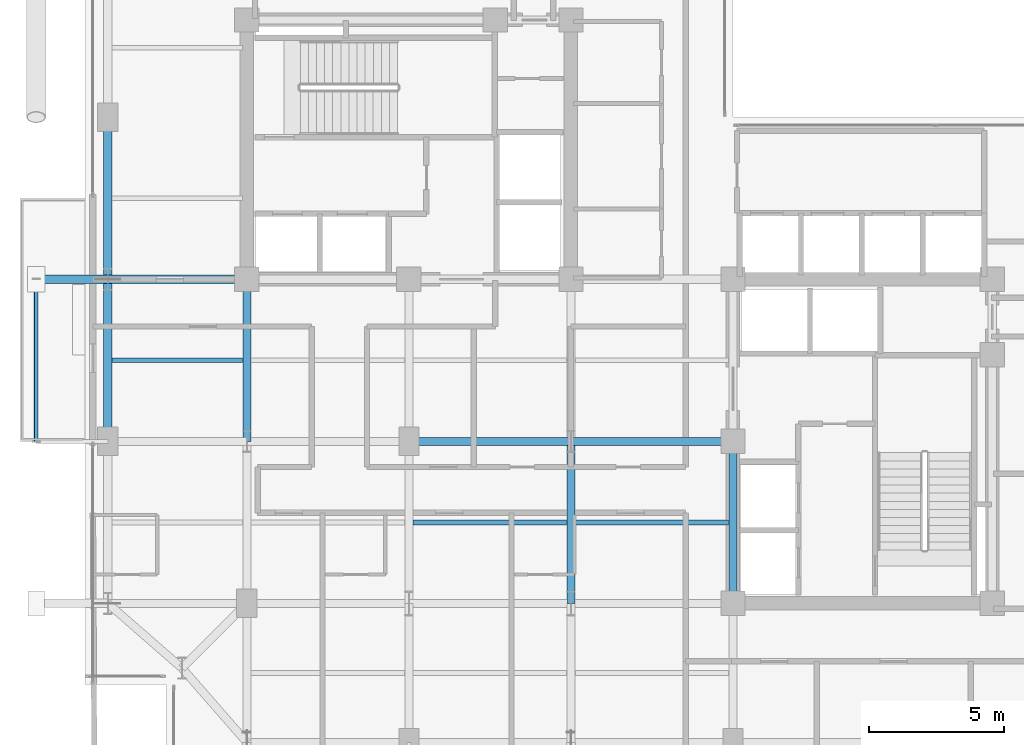
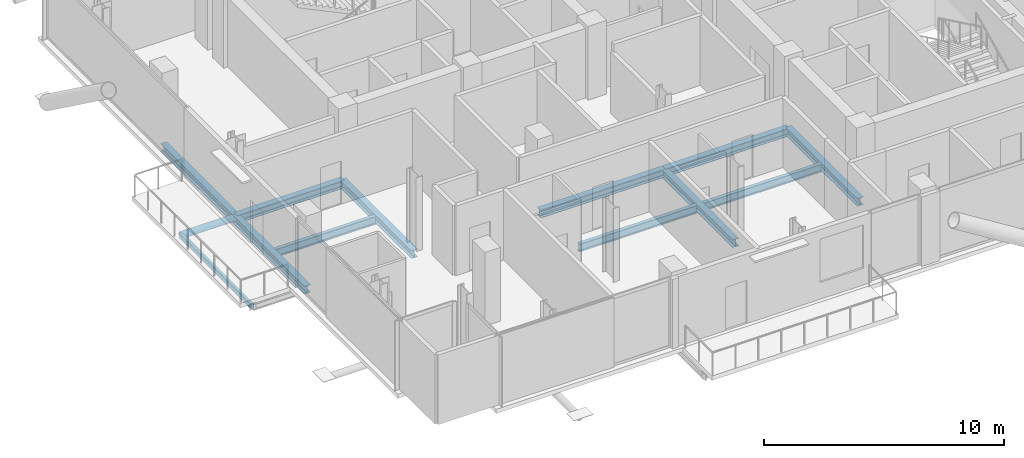
# One storey, part 6 of 22: 12 beams, 1 member.
"""IFC4 building model written with IfcOpenShell, lengths in metres."""

from ifc_helpers import new_model, si_unit, direction, frame, origin, origin_2d, place, context, subcontext, project, spatial, hollow_rectangle, hollow_circle, i_section, extrude, material, material_profile, profile_set, type_object, element, save


model = new_model("IFC4")

# Units and contexts
model_context = context("Model", 3, precision=1e-05, world=origin(), true_north=direction((0.0, 1.0)))
body_context = subcontext(model_context, "Body", "Model", "MODEL_VIEW")
ifc_project = project(units=[si_unit("LENGTHUNIT", "METRE"), si_unit("AREAUNIT", "SQUARE_METRE"), si_unit("VOLUMEUNIT", "CUBIC_METRE"), si_unit("PLANEANGLEUNIT", "RADIAN"), si_unit("MASSUNIT", "GRAM", prefix="KILO"), si_unit("THERMODYNAMICTEMPERATUREUNIT", "KELVIN"), si_unit("POWERUNIT", "WATT")], contexts=[model_context])

# Site, building, storey
site_placement = place(None, origin())
site = spatial("IfcSite", under=ifc_project, at=site_placement, CompositionType="ELEMENT")
building_placement = place(site_placement, origin())
building = spatial("IfcBuilding", under=site, at=building_placement, Name="Svarakhadi Broadcast Tower", CompositionType="ELEMENT")
storey_placement = place(building_placement, frame((0.0, 0.0, 172.949951171875)))
storey = spatial("IfcBuildingStorey", under=building, at=storey_placement, Name="L42", CompositionType="ELEMENT", Elevation=172.949951171875)

# Beams
ifc_material_1 = material(Name="Steel S355J2 (IS 2062 E350C)", Category="steel")
ifc_material_profile_1 = material_profile(ifc_material_1, i_section(OverallWidth=0.179931640625, OverallDepth=0.39990234375, WebThickness=0.008544921875, FlangeThickness=0.013427734375, FilletRadius=0.02099609375, at=origin_2d()), Name="NPB 400x180x66")
ifc_profile_set_1 = profile_set([ifc_material_profile_1], Name="Steel S355J2 (IS 2062 E350C)")
beam_type_1 = type_object("IfcBeamType", Name="Beam_NPB400", PredefinedType="BEAM", material=ifc_profile_set_1)
beam_1_placement = place(storey_placement, frame((1.010009765625, 15.0, -0.409912109375), z_axis=(1.0, 0.0, 0.0), x_axis=(0.0, 1.0, 0.0)))
element("IfcBeam", 1, at=beam_1_placement, inside=storey, type_object=beam_type_1, Name="L42 Secondary Composite Beam SB002", PredefinedType="BEAM", context=body_context, shape_type="SweptSolid", body=[
    extrude(i_section(OverallWidth=0.179931640625, OverallDepth=0.39990234375, WebThickness=0.008544921875, FlangeThickness=0.013427734375, FilletRadius=0.02099609375, at=origin_2d()), origin(), (0.0, 0.0, 1.0), 4.830078125),
])
for number, where, z_axis, x_axis, name in (
    (2, (12.159912109375, 9.0, -0.409912109375), (1.0, 0.0, 0.0), (0.0, 1.0, 0.0), "L42 Secondary Composite Beam SB010"),
    (3, (18.159912109375, 9.0, -0.409912109375), (1.0, 0.0, 0.0), (0.0, 1.0, 0.0), "L42 Secondary Composite Beam SB014"),
):
    element("IfcBeam", number, at=place(storey_placement, frame(where, z_axis=z_axis, x_axis=x_axis)), inside=storey, type_object=beam_type_1, Name=name, PredefinedType="BEAM", context=body_context, shape_type="SweptSolid", body=[
        extrude(i_section(OverallWidth=0.179931640625, OverallDepth=0.39990234375, WebThickness=0.008544921875, FlangeThickness=0.013427734375, FilletRadius=0.02099609375, at=origin_2d()), origin(), (0.0, 0.0, 1.0), 5.68017578125),
    ])

# Member
ifc_material_2 = material(Name="Steel S460ML (IS 2062 E450BR)", Category="steel")
ifc_material_profile_2 = material_profile(ifc_material_2, hollow_circle(Radius=0.161865234375, WallThickness=0.01611328125, at=origin_2d()), Name="CHS 323.9x16")
ifc_profile_set_2 = profile_set([ifc_material_profile_2], Name="Steel S460ML (IS 2062 E450BR)")
member_type = type_object("IfcMemberType", Name="Exo_Radial_Strut_Z2", PredefinedType="STRUT", material=ifc_profile_set_2)
member_placement = place(storey_placement, frame((-1.800048828125, 18.0, -0.371826171875), z_axis=(1.0, 0.0, 0.0), x_axis=(0.0, 1.0, 0.0)))
element("IfcMember", 4, at=member_placement, inside=storey, type_object=member_type, Name="L42 Exoskeleton Radial Tie Strut W05", PredefinedType="STRUT", context=body_context, shape_type="SweptSolid", body=[
    extrude(hollow_circle(Radius=0.161865234375, WallThickness=0.01611328125, at=origin_2d()), origin(), (0.0, 0.0, 1.0), 2.650146484375),
])

# Beams
ifc_material_profile_3 = material_profile(ifc_material_1, i_section(OverallWidth=0.300048828125, OverallDepth=0.39990234375, WebThickness=0.013427734375, FlangeThickness=0.02392578125, FilletRadius=0.027099609375, at=origin_2d()), Name="WPB 400x300x155")
ifc_profile_set_3 = profile_set([ifc_material_profile_3], Name="Steel S355J2 (IS 2062 E350C)")
beam_type_2 = type_object("IfcBeamType", Name="Girder_WPB400", PredefinedType="USERDEFINED", material=ifc_profile_set_3)
for number, where, z_axis, x_axis, name in (
    (5, (12.0, 12.0, -0.409912109375), (1.0, 0.0, 0.0), (0.0, 1.0, 0.0), "L42 Primary E-W Girder G017"),
    (6, (18.0, 12.0, -0.409912109375), (1.0, 0.0, 0.0), (0.0, 1.0, 0.0), "L42 Primary E-W Girder G018"),
):
    element("IfcBeam", number, at=place(storey_placement, frame(where, z_axis=z_axis, x_axis=x_axis)), inside=storey, type_object=beam_type_2, Name=name, ObjectType="GIRDER", PredefinedType="USERDEFINED", context=body_context, shape_type="SweptSolid", body=[
        extrude(i_section(OverallWidth=0.300048828125, OverallDepth=0.39990234375, WebThickness=0.013427734375, FlangeThickness=0.02392578125, FilletRadius=0.027099609375, at=origin_2d()), origin(), (0.0, 0.0, 1.0), 6.0),
    ])
beam_2_placement = place(storey_placement, frame((0.85009765625, 18.0, -0.409912109375), z_axis=(1.0, 0.0, 0.0), x_axis=(0.0, 1.0, 0.0)))
element("IfcBeam", 7, at=beam_2_placement, inside=storey, type_object=beam_type_2, Name="L42 Primary E-W Girder G020", ObjectType="GIRDER", PredefinedType="USERDEFINED", context=body_context, shape_type="SweptSolid", body=[
    extrude(i_section(OverallWidth=0.300048828125, OverallDepth=0.39990234375, WebThickness=0.013427734375, FlangeThickness=0.02392578125, FilletRadius=0.027099609375, at=origin_2d()), origin(), (0.0, 0.0, 1.0), 5.14990234375),
])
for number, where, z_axis, x_axis, name in (
    (8, (0.85009765625, 12.0, -0.409912109375), (0.0, 1.0, 0.0), (-1.0, 0.0, 0.0), "L42 Primary N-S Girder G034"),
    (9, (0.85009765625, 18.0, -0.409912109375), (0.0, 1.0, 0.0), (-1.0, 0.0, 0.0), "L42 Primary N-S Girder G035"),
    (10, (6.0, 12.0, -0.409912109375), (0.0, 1.0, 0.0), (-1.0, 0.0, 0.0), "L42 Primary N-S Girder G039"),
    (11, (18.0, 6.0, -0.409912109375), (0.0, 1.0, 0.0), (-1.0, 0.0, 0.0), "L42 Primary N-S Girder G047"),
    (12, (24.0, 6.0, -0.409912109375), (0.0, 1.0, 0.0), (-1.0, 0.0, 0.0), "L42 Primary N-S Girder G052"),
):
    element("IfcBeam", number, at=place(storey_placement, frame(where, z_axis=z_axis, x_axis=x_axis)), inside=storey, type_object=beam_type_2, Name=name, ObjectType="GIRDER", PredefinedType="USERDEFINED", context=body_context, shape_type="SweptSolid", body=[
        extrude(i_section(OverallWidth=0.300048828125, OverallDepth=0.39990234375, WebThickness=0.013427734375, FlangeThickness=0.02392578125, FilletRadius=0.027099609375, at=origin_2d()), origin(), (0.0, 0.0, 1.0), 6.0),
    ])
ifc_material_profile_4 = material_profile(ifc_material_2, hollow_rectangle(XDim=0.14990234375, YDim=0.25, WallThickness=0.010009765625, InnerFilletRadius=0.010009765625, OuterFilletRadius=0.02001953125, at=origin_2d()), Name="RHS 250x150x10")
ifc_profile_set_4 = profile_set([ifc_material_profile_4], Name="Steel S460ML (IS 2062 E450BR)")
beam_type_3 = type_object("IfcBeamType", Name="Spandrel_RHS250", PredefinedType="SPANDREL", material=ifc_profile_set_4)
beam_3_placement = place(storey_placement, frame((-1.800048828125, 12.0, -0.349853515625), z_axis=(0.0, 1.0, 0.0), x_axis=(-1.0, 0.0, 0.0)))
element("IfcBeam", 13, at=beam_3_placement, inside=storey, type_object=beam_type_3, Name="L42 Balcony Outer Spandrel 2F", PredefinedType="SPANDREL", context=body_context, shape_type="SweptSolid", body=[
    extrude(hollow_rectangle(XDim=0.14990234375, YDim=0.25, WallThickness=0.010009765625, InnerFilletRadius=0.010009765625, OuterFilletRadius=0.02001953125, at=origin_2d()), origin(), (0.0, 0.0, 1.0), 6.0),
])

save(model, "model.ifc")
